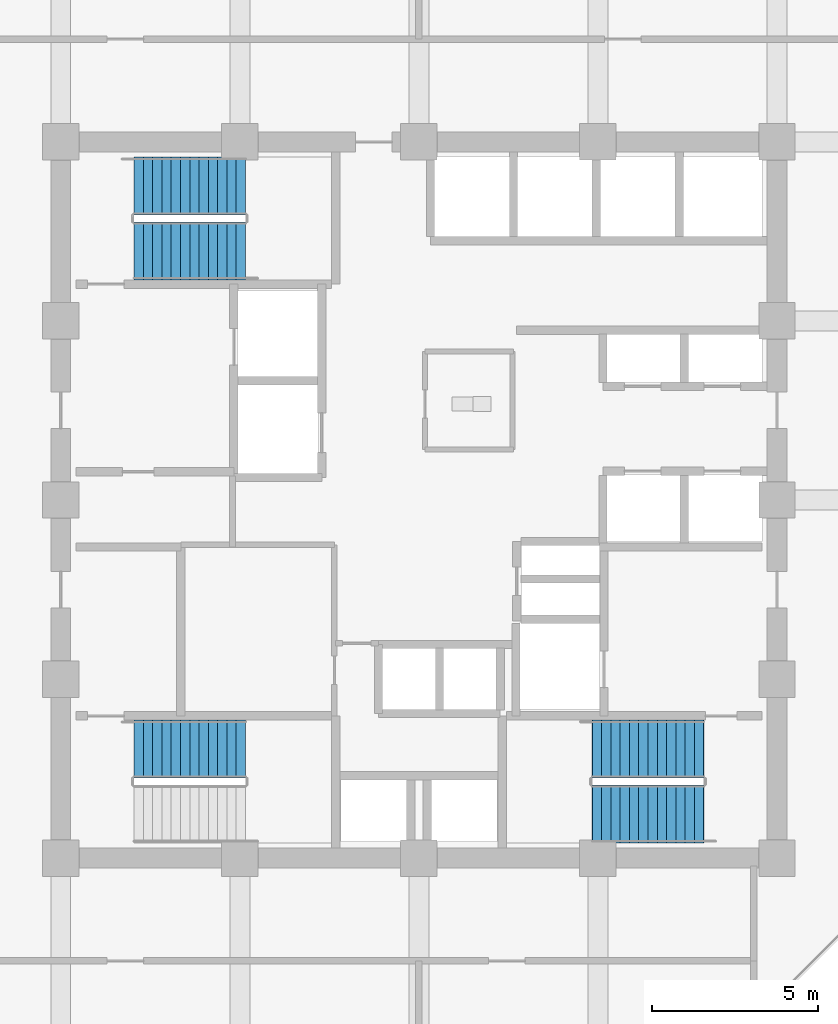
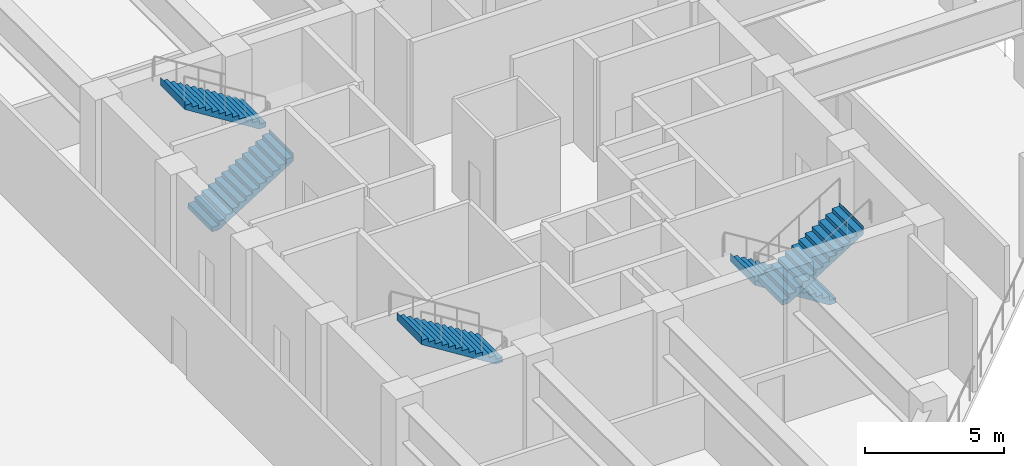
# One storey, part 7 of 12: 5 stair flights, 3 elements without a shape of their own.
"""IFC4 building model written with IfcOpenShell, lengths in metres."""

import ifcopenshell
import ifcopenshell.guid

model = None  # the IFC model being written
_history = None  # IfcOwnerHistory: only IFC2X3 demands one
_inside = {}  # id of a spatial element -> (the spatial element, [elements in it])
_under = {}  # id of a project, library or spatial element -> (it, [spatial elements below it])
_declared = {}  # id of a project -> (the project, [libraries it declares])
_typed = {}  # id of a type object -> (the type object, [elements of that type])
_made_of = {}  # id of a material, layer set ... -> (it, [elements and type objects made of it])


def new_model(schema):
    """Start an empty IFC model of exactly this schema.

    Asked for "IFC4X3", IfcOpenShell would pick the latest addendum, in which some entities
    have other attributes; the version numbers below select the first issue.
    IFC2X3 requires an IfcOwnerHistory on every rooted entity: one is made here for all.
    """
    global model, _history
    if schema == "IFC4X3":
        model = ifcopenshell.file(schema_version=(4, 3, 0, 0))
    else:
        model = ifcopenshell.file(schema=schema)
    _inside.clear()
    _under.clear()
    _declared.clear()
    _typed.clear()
    _made_of.clear()
    _history = None
    if model.schema == "IFC2X3":
        org = make("IfcOrganization", Name="unknown")
        user = make(
            "IfcPersonAndOrganization",
            ThePerson=make("IfcPerson", FamilyName="unknown"),
            TheOrganization=org,
        )
        app = make(
            "IfcApplication",
            ApplicationDeveloper=org,
            Version="unknown",
            ApplicationFullName="unknown",
            ApplicationIdentifier="unknown",
        )
        _history = make(
            "IfcOwnerHistory",
            OwningUser=user,
            OwningApplication=app,
            ChangeAction="ADDED",
            CreationDate=0,
        )
    return model


def make(cls, **values):
    """One entity of the class cls with the attributes given. An attribute that is None is left unset."""
    return model.create_entity(
        cls, **{name: value for name, value in values.items() if value is not None}
    )


def rooted(cls, **values):
    """An entity with a GlobalId (a new one), such as an element, a storey or a relation."""
    return make(cls, GlobalId=ifcopenshell.guid.new(), OwnerHistory=_history, **values)


def si_unit(unit_type, name, prefix=None):
    """IfcSIUnit, for example si_unit("LENGTHUNIT", "METRE", prefix="MILLI")."""
    return make("IfcSIUnit", UnitType=unit_type, Prefix=prefix, Name=name)


def assignment(units):
    """IfcUnitAssignment: the units of a project."""
    return None if units is None else make("IfcUnitAssignment", Units=units)


def point(xyz):
    """IfcCartesianPoint."""
    return None if xyz is None else make("IfcCartesianPoint", Coordinates=xyz)


def direction(xyz):
    """IfcDirection."""
    return None if xyz is None else make("IfcDirection", DirectionRatios=xyz)


def frame(location, z_axis=None, x_axis=None):
    """IfcAxis2Placement3D, a coordinate frame: its origin and axes. An axis left out is left unset."""
    return make(
        "IfcAxis2Placement3D",
        Location=point(location),
        Axis=direction(z_axis),
        RefDirection=direction(x_axis),
    )


def origin():
    """The frame at (0, 0, 0) with its axes left unset."""
    return frame((0.0, 0.0, 0.0))


def place(relative_to, where):
    """IfcLocalPlacement: puts the frame where relative to a parent placement (None: the world)."""
    return make(
        "IfcLocalPlacement", PlacementRelTo=relative_to, RelativePlacement=where
    )


def context(
    kind, dimensions, precision=None, world=None, true_north=None, identifier=None
):
    """IfcGeometricRepresentationContext, for example the 3D "Model" context."""
    return make(
        "IfcGeometricRepresentationContext",
        ContextIdentifier=identifier,
        ContextType=kind,
        CoordinateSpaceDimension=dimensions,
        Precision=precision,
        WorldCoordinateSystem=world,
        TrueNorth=true_north,
    )


def subcontext(parent, identifier, kind, view, scale=None):
    """IfcGeometricRepresentationSubContext, for example "Body" below "Model"."""
    return make(
        "IfcGeometricRepresentationSubContext",
        ContextIdentifier=identifier,
        ContextType=kind,
        ParentContext=parent,
        TargetScale=scale,
        TargetView=view,
    )


def project(units=None, contexts=None):
    """IfcProject with its units and contexts."""
    return rooted(
        "IfcProject",
        Name="project",
        RepresentationContexts=contexts,
        UnitsInContext=assignment(units),
    )


def spatial(cls, under=None, at=None, **own):
    """A site, building, storey or space (cls), placed at a placement, below another one or the project."""
    s = rooted(cls, ObjectPlacement=at, **own)
    if under is not None:
        _under.setdefault(under.id(), (under, []))[1].append(s)
    return s


def polyline(points):
    """IfcPolyline through the points."""
    return make("IfcPolyline", Points=[point(p) for p in points])


def outline(outer, holes=None, kind="AREA"):
    """IfcArbitraryClosedProfileDef: a profile drawn as a closed curve; with holes, ...WithVoids."""
    if holes is None:
        return make("IfcArbitraryClosedProfileDef", ProfileType=kind, OuterCurve=outer)
    return make(
        "IfcArbitraryProfileDefWithVoids",
        ProfileType=kind,
        OuterCurve=outer,
        InnerCurves=holes,
    )


def extrude(swept, where, along, depth):
    """IfcExtrudedAreaSolid: the profile swept, set in the frame where, extruded along a direction by depth."""
    return make(
        "IfcExtrudedAreaSolid",
        SweptArea=swept,
        Position=where,
        ExtrudedDirection=direction(along),
        Depth=depth,
    )


def shape(context_of_items, identifier, shape_type, items):
    """IfcShapeRepresentation: the items that make up one representation, for example the "Body"."""
    return make(
        "IfcShapeRepresentation",
        ContextOfItems=context_of_items,
        RepresentationIdentifier=identifier,
        RepresentationType=shape_type,
        Items=items,
    )


def material(Name=None, Category=None):
    """IfcMaterial."""
    return make("IfcMaterial", Name=Name, Category=Category)


def made_of(thing, what):
    """Note that an element or type object is made of a material, layer set ...; save() writes the relation."""
    if what is not None:
        _made_of.setdefault(what.id(), (what, []))[1].append(thing)
    return thing


def type_object(cls, material=None, **own):
    """A type object (cls), such as IfcWallType, which elements share."""
    return made_of(rooted(cls, **own), material)


def element(
    cls,
    number,
    at=None,
    inside=None,
    cuts=None,
    type_object=None,
    material=None,
    context=None,
    identifier="Body",
    shape_type=None,
    held_by="IfcProductDefinitionShape",
    body=None,
    shapes=None,
    **own,
):
    """One element of the class cls, such as IfcWall. Its Tag is "e" and its number.

    at: its placement. inside: the storey or other place that contains it. cuts: it is an
    opening in that element (IfcRelVoidsElement). A single representation is given by context,
    identifier, shape_type and body (its items); several are given by shapes. held_by: the class
    of the entity that holds the representations. save() writes the other relations.
    """
    e = rooted(cls, Tag="e%d" % number, ObjectPlacement=at, **own)
    if body is not None:
        shapes = [shape(context, identifier, shape_type, body)]
    if shapes is not None:
        e.Representation = make(held_by, Representations=shapes)
    if inside is not None:
        _inside.setdefault(inside.id(), (inside, []))[1].append(e)
    if cuts is not None:
        rooted(
            "IfcRelVoidsElement", RelatingBuildingElement=cuts, RelatedOpeningElement=e
        )
    if type_object is not None:
        _typed.setdefault(type_object.id(), (type_object, []))[1].append(e)
    return made_of(e, material)


def aggregate(whole, parts):
    """IfcRelAggregates: a whole, such as a stair, and the parts it consists of."""
    return rooted("IfcRelAggregates", RelatingObject=whole, RelatedObjects=parts)


def save(model, path):
    """Write the relations noted so far, then the file.

    IfcRelAggregates (storeys below a building ...), IfcRelContainedInSpatialStructure (elements
    in a storey), IfcRelDefinesByType, IfcRelAssociatesMaterial and IfcRelDeclares: one each for
    every whole, place, type object, material and project.
    """
    for whole, parts in _under.values():
        aggregate(whole, parts)
    for where, things in _inside.values():
        rooted(
            "IfcRelContainedInSpatialStructure",
            RelatedElements=things,
            RelatingStructure=where,
        )
    for kind, things in _typed.values():
        rooted("IfcRelDefinesByType", RelatedObjects=things, RelatingType=kind)
    for what, things in _made_of.values():
        rooted("IfcRelAssociatesMaterial", RelatedObjects=things, RelatingMaterial=what)
    for by, libraries in _declared.values():
        rooted("IfcRelDeclares", RelatingContext=by, RelatedDefinitions=libraries)
    model.write(path)


model = new_model("IFC4")

# Units and contexts
model_context = context("Model", 3, precision=1e-05, world=origin(), true_north=direction((0.0, 1.0)))
body_context = subcontext(model_context, "Body", "Model", "MODEL_VIEW")
ifc_project = project(units=[si_unit("LENGTHUNIT", "METRE"), si_unit("AREAUNIT", "SQUARE_METRE"), si_unit("VOLUMEUNIT", "CUBIC_METRE"), si_unit("PLANEANGLEUNIT", "RADIAN"), si_unit("MASSUNIT", "GRAM", prefix="KILO")], contexts=[model_context])

# Site, building, storey
site_placement = place(None, origin())
site = spatial("IfcSite", under=ifc_project, at=site_placement, CompositionType="ELEMENT")
building_placement = place(site_placement, origin())
building = spatial("IfcBuilding", under=site, at=building_placement, Name="Surkhivell Harbour Commons", CompositionType="ELEMENT")
storey_placement = place(building_placement, frame((0.0, 0.0, 166.5)))
storey = spatial("IfcBuildingStorey", under=building, at=storey_placement, Name="L43", CompositionType="ELEMENT", Elevation=166.5)

# Stair, stair flights
ifc_material = material(Name="Precast concrete C45/55", Category="concrete")
stair_type = type_object("IfcStairType", Name="STR-DL-450", PredefinedType="HALF_TURN_STAIR", material=ifc_material)
stair_1_placement = place(storey_placement, origin())
stair_1 = element("IfcStair", 1, at=stair_1_placement, inside=storey, type_object=stair_type, Name="L43 Core Exit Stair ST1", PredefinedType="HALF_TURN_STAIR")
stair_flight_type = type_object("IfcStairFlightType", Name="STF-DL-450", PredefinedType="STRAIGHT", material=ifc_material)
stair_flight_1_placement = place(storey_placement, frame((-8.590087890625, 7.514892578125, 0.0), z_axis=(0.0, 0.0, 1.0), x_axis=(1.0, 0.0, 0.0)))
stair_flight_1 = element("IfcStairFlight", 2, at=stair_flight_1_placement, type_object=stair_flight_type, Name="ST1 flight 1", NumberOfRisers=13, NumberOfTreads=12, PredefinedType="STRAIGHT", RiserHeight=0.173076923, TreadLength=0.28, context=body_context, shape_type="SweptSolid", body=[
    extrude(outline(polyline([(-0.0029296875, -0.034912109375), (-0.0029296875, 0.0), (0.0, 0.0), (0.0, 0.173095703125), (0.280029296875, 0.173095703125), (0.280029296875, 0.34619140625), (0.56005859375, 0.34619140625), (0.56005859375, 0.519287109375), (0.840087890625, 0.519287109375), (0.840087890625, 0.6923828125), (1.1201171875, 0.6923828125), (1.1201171875, 0.865478515625), (1.39990234375, 0.865478515625), (1.39990234375, 1.03857421875), (1.679931640625, 1.03857421875), (1.679931640625, 1.21142578125), (1.9599609375, 1.21142578125), (1.9599609375, 1.384521484375), (2.239990234375, 1.384521484375), (2.239990234375, 1.5576171875), (2.52001953125, 1.5576171875), (2.52001953125, 1.730712890625), (2.800048828125, 1.730712890625), (2.800048828125, 1.90380859375), (3.080078125, 1.90380859375), (3.080078125, 2.076904296875), (3.360107421875, 2.076904296875), (3.360107421875, 2.25), (3.363037109375, 2.25), (3.363037109375, 1.900634765625), (0.28515625, -0.034912109375), (-0.0029296875, -0.034912109375)])), frame((0.0, 0.875, 0.0), z_axis=(0.0, -1.0, 0.0), x_axis=(1.0, 0.0, 0.0)), (0.0, 0.0, 1.0), 1.75),
])
stair_flight_2_placement = place(storey_placement, frame((-5.22998046875, 9.465087890625, 2.25), z_axis=(0.0, 0.0, 1.0), x_axis=(-1.0, 0.0, 0.0)))
stair_flight_2 = element("IfcStairFlight", 3, at=stair_flight_2_placement, type_object=stair_flight_type, Name="ST1 flight 2", NumberOfRisers=13, NumberOfTreads=12, PredefinedType="STRAIGHT", RiserHeight=0.173076923, TreadLength=0.28, context=body_context, shape_type="SweptSolid", body=[
    extrude(outline(polyline([(-0.0029296875, -0.034912109375), (-0.0029296875, 0.0), (0.0, 0.0), (0.0, 0.173095703125), (0.280029296875, 0.173095703125), (0.280029296875, 0.34619140625), (0.56005859375, 0.34619140625), (0.56005859375, 0.519287109375), (0.840087890625, 0.519287109375), (0.840087890625, 0.6923828125), (1.1201171875, 0.6923828125), (1.1201171875, 0.865478515625), (1.39990234375, 0.865478515625), (1.39990234375, 1.03857421875), (1.679931640625, 1.03857421875), (1.679931640625, 1.21142578125), (1.9599609375, 1.21142578125), (1.9599609375, 1.384521484375), (2.239990234375, 1.384521484375), (2.239990234375, 1.5576171875), (2.52001953125, 1.5576171875), (2.52001953125, 1.730712890625), (2.800048828125, 1.730712890625), (2.800048828125, 1.90380859375), (3.080078125, 1.90380859375), (3.080078125, 2.076904296875), (3.360107421875, 2.076904296875), (3.360107421875, 2.25), (3.363037109375, 2.25), (3.363037109375, 1.900634765625), (0.28515625, -0.034912109375), (-0.0029296875, -0.034912109375)])), frame((0.0, 0.875, 0.0), z_axis=(0.0, -1.0, 0.0), x_axis=(1.0, 0.0, 0.0)), (0.0, 0.0, 1.0), 1.75),
])
aggregate(stair_1, [stair_flight_1, stair_flight_2])

stair_2_placement = place(storey_placement, origin())
stair_2 = element("IfcStair", 4, at=stair_2_placement, inside=storey, type_object=stair_type, Name="L43 Core Exit Stair ST2", PredefinedType="HALF_TURN_STAIR")
stair_flight_3_placement = place(storey_placement, frame((8.590087890625, -7.514892578125, 0.0), z_axis=(0.0, 0.0, 1.0), x_axis=(-1.0, 0.0, 0.0)))
stair_flight_3 = element("IfcStairFlight", 5, at=stair_flight_3_placement, type_object=stair_flight_type, Name="ST2 flight 1", NumberOfRisers=13, NumberOfTreads=12, PredefinedType="STRAIGHT", RiserHeight=0.173076923, TreadLength=0.28, context=body_context, shape_type="SweptSolid", body=[
    extrude(outline(polyline([(-0.0029296875, -0.034912109375), (-0.0029296875, 0.0), (0.0, 0.0), (0.0, 0.173095703125), (0.280029296875, 0.173095703125), (0.280029296875, 0.34619140625), (0.56005859375, 0.34619140625), (0.56005859375, 0.519287109375), (0.840087890625, 0.519287109375), (0.840087890625, 0.6923828125), (1.1201171875, 0.6923828125), (1.1201171875, 0.865478515625), (1.39990234375, 0.865478515625), (1.39990234375, 1.03857421875), (1.679931640625, 1.03857421875), (1.679931640625, 1.21142578125), (1.9599609375, 1.21142578125), (1.9599609375, 1.384521484375), (2.239990234375, 1.384521484375), (2.239990234375, 1.5576171875), (2.52001953125, 1.5576171875), (2.52001953125, 1.730712890625), (2.800048828125, 1.730712890625), (2.800048828125, 1.90380859375), (3.080078125, 1.90380859375), (3.080078125, 2.076904296875), (3.360107421875, 2.076904296875), (3.360107421875, 2.25), (3.363037109375, 2.25), (3.363037109375, 1.900634765625), (0.28515625, -0.034912109375), (-0.0029296875, -0.034912109375)])), frame((0.0, 0.875, 0.0), z_axis=(0.0, -1.0, 0.0), x_axis=(1.0, 0.0, 0.0)), (0.0, 0.0, 1.0), 1.75),
])
stair_flight_4_placement = place(storey_placement, frame((5.22998046875, -9.465087890625, 2.25), z_axis=(0.0, 0.0, 1.0), x_axis=(1.0, 0.0, 0.0)))
stair_flight_4 = element("IfcStairFlight", 6, at=stair_flight_4_placement, type_object=stair_flight_type, Name="ST2 flight 2", NumberOfRisers=13, NumberOfTreads=12, PredefinedType="STRAIGHT", RiserHeight=0.173076923, TreadLength=0.28, context=body_context, shape_type="SweptSolid", body=[
    extrude(outline(polyline([(-0.0029296875, -0.034912109375), (-0.0029296875, 0.0), (0.0, 0.0), (0.0, 0.173095703125), (0.280029296875, 0.173095703125), (0.280029296875, 0.34619140625), (0.56005859375, 0.34619140625), (0.56005859375, 0.519287109375), (0.840087890625, 0.519287109375), (0.840087890625, 0.6923828125), (1.1201171875, 0.6923828125), (1.1201171875, 0.865478515625), (1.39990234375, 0.865478515625), (1.39990234375, 1.03857421875), (1.679931640625, 1.03857421875), (1.679931640625, 1.21142578125), (1.9599609375, 1.21142578125), (1.9599609375, 1.384521484375), (2.239990234375, 1.384521484375), (2.239990234375, 1.5576171875), (2.52001953125, 1.5576171875), (2.52001953125, 1.730712890625), (2.800048828125, 1.730712890625), (2.800048828125, 1.90380859375), (3.080078125, 1.90380859375), (3.080078125, 2.076904296875), (3.360107421875, 2.076904296875), (3.360107421875, 2.25), (3.363037109375, 2.25), (3.363037109375, 1.900634765625), (0.28515625, -0.034912109375), (-0.0029296875, -0.034912109375)])), frame((0.0, 0.875, 0.0), z_axis=(0.0, -1.0, 0.0), x_axis=(1.0, 0.0, 0.0)), (0.0, 0.0, 1.0), 1.75),
])
aggregate(stair_2, [stair_flight_3, stair_flight_4])

# Stair, stair flight
stair_3_placement = place(storey_placement, origin())
stair_3 = element("IfcStair", 7, at=stair_3_placement, inside=storey, type_object=stair_type, Name="L43 Core Exit Stair ST3", PredefinedType="HALF_TURN_STAIR")
stair_flight_5_placement = place(storey_placement, frame((-5.22998046875, -7.514892578125, 2.25), z_axis=(0.0, 0.0, 1.0), x_axis=(-1.0, 0.0, 0.0)))
stair_flight_5 = element("IfcStairFlight", 8, at=stair_flight_5_placement, type_object=stair_flight_type, Name="ST3 flight 2", NumberOfRisers=13, NumberOfTreads=12, PredefinedType="STRAIGHT", RiserHeight=0.173076923, TreadLength=0.28, context=body_context, shape_type="SweptSolid", body=[
    extrude(outline(polyline([(-0.0029296875, -0.034912109375), (-0.0029296875, 0.0), (0.0, 0.0), (0.0, 0.173095703125), (0.280029296875, 0.173095703125), (0.280029296875, 0.34619140625), (0.56005859375, 0.34619140625), (0.56005859375, 0.519287109375), (0.840087890625, 0.519287109375), (0.840087890625, 0.6923828125), (1.1201171875, 0.6923828125), (1.1201171875, 0.865478515625), (1.39990234375, 0.865478515625), (1.39990234375, 1.03857421875), (1.679931640625, 1.03857421875), (1.679931640625, 1.21142578125), (1.9599609375, 1.21142578125), (1.9599609375, 1.384521484375), (2.239990234375, 1.384521484375), (2.239990234375, 1.5576171875), (2.52001953125, 1.5576171875), (2.52001953125, 1.730712890625), (2.800048828125, 1.730712890625), (2.800048828125, 1.90380859375), (3.080078125, 1.90380859375), (3.080078125, 2.076904296875), (3.360107421875, 2.076904296875), (3.360107421875, 2.25), (3.363037109375, 2.25), (3.363037109375, 1.900634765625), (0.28515625, -0.034912109375), (-0.0029296875, -0.034912109375)])), frame((0.0, 0.875, 0.0), z_axis=(0.0, -1.0, 0.0), x_axis=(1.0, 0.0, 0.0)), (0.0, 0.0, 1.0), 1.75),
])
aggregate(stair_3, [stair_flight_5])

save(model, "model.ifc")
